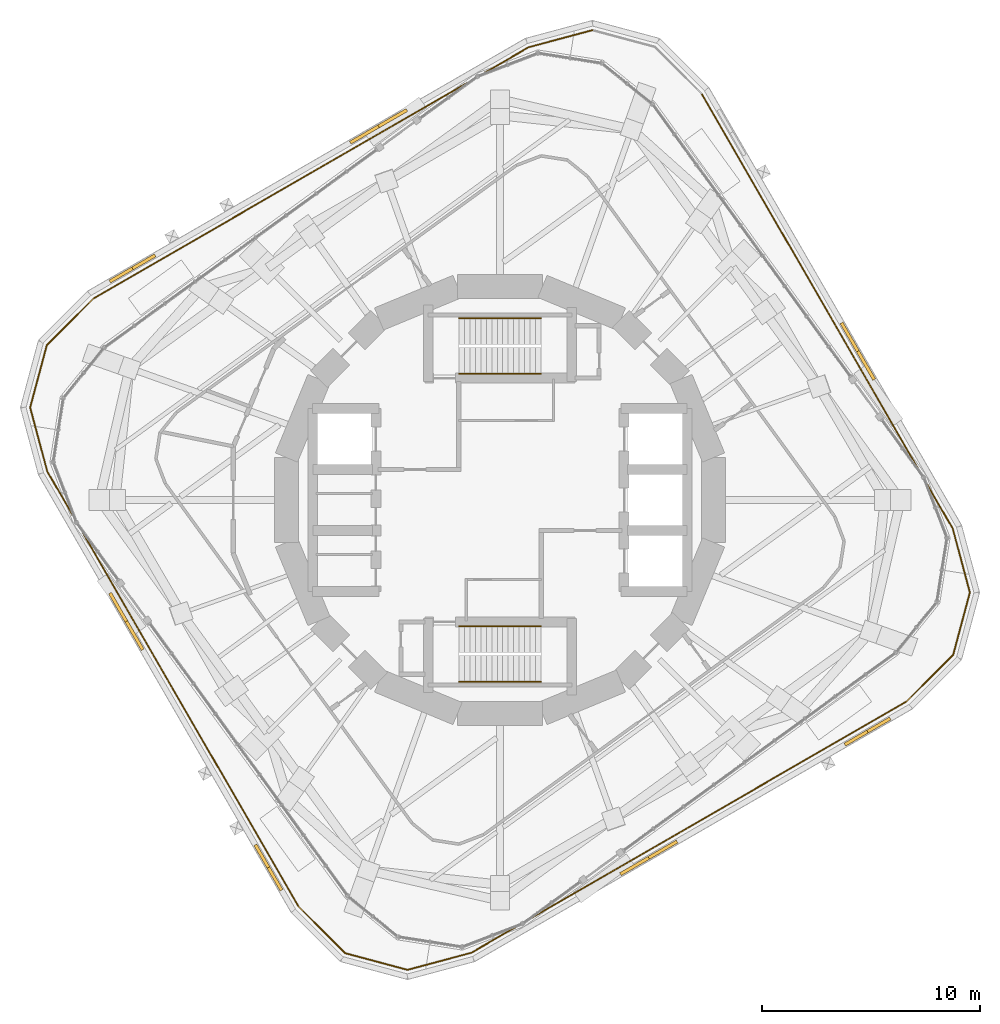
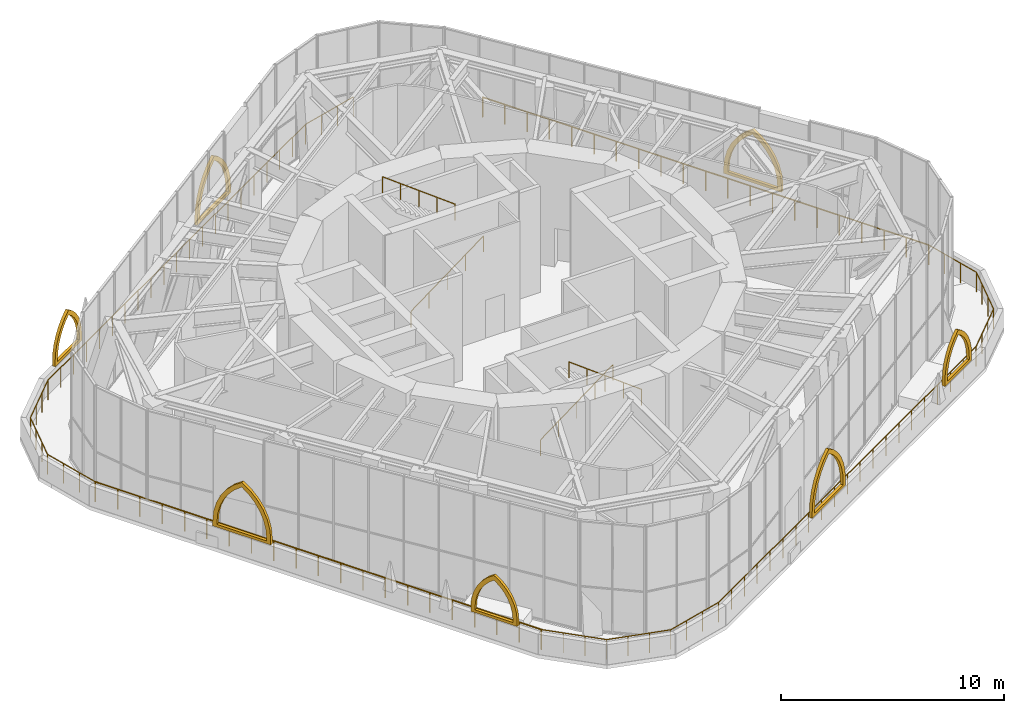
# One storey, part 16 of 18: 18 railings, 7 shading devices.
"""IFC4 building model written with IfcOpenShell, lengths in metres."""

from ifc_helpers import new_model, si_unit, direction, frame, origin, origin_2d, place, context, subcontext, project, spatial, polyline, circle, outline, extrude, material, type_object, element, save


model = new_model("IFC4")

# Units and contexts
model_context = context("Model", 3, precision=1e-05, world=origin(), true_north=direction((0.0, 1.0)))
body_context = subcontext(model_context, "Body", "Model", "MODEL_VIEW")
ifc_project = project(units=[si_unit("LENGTHUNIT", "METRE"), si_unit("AREAUNIT", "SQUARE_METRE"), si_unit("VOLUMEUNIT", "CUBIC_METRE"), si_unit("PLANEANGLEUNIT", "RADIAN"), si_unit("MASSUNIT", "GRAM", prefix="KILO")], contexts=[model_context])

# Site, building, storey
site_placement = place(None, origin())
site = spatial("IfcSite", under=ifc_project, at=site_placement, CompositionType="ELEMENT")
building_placement = place(site_placement, origin())
building = spatial("IfcBuilding", under=site, at=building_placement, Name="Nakasero Lantern House", CompositionType="ELEMENT")
storey_placement = place(building_placement, frame((0.0, 0.0, 257.75)))
storey = spatial("IfcBuildingStorey", under=building, at=storey_placement, Name="L63", CompositionType="ELEMENT", Elevation=257.75)

# Shading devices
ifc_material_1 = material(Name="Aluminium 6063-T6", Category="aluminium")
shading_device_type_1 = type_object("IfcShadingDeviceType", Name="Lancet screen 2400", PredefinedType="USERDEFINED", material=ifc_material_1)
for number, where, z_axis, x_axis, name in (
    (1, (-16.878662109375, 10.635498046875, 1.10009765625), (0.0, 0.0, 1.0), (-0.866025404, -0.5, 0.0), "Tracery screen L63 1-01"),
    (2, (-10.635498046875, -16.878662109375, 1.10009765625), (0.0, 0.0, 1.0), (0.5, -0.866025404, 0.0), "Tracery screen L63 2-01"),
    (3, (16.878662109375, -10.635498046875, 1.10009765625), (0.0, 0.0, 1.0), (0.866025404, 0.5, 0.0), "Tracery screen L63 3-01"),
):
    element("IfcShadingDevice", number, at=place(storey_placement, frame(where, z_axis=z_axis, x_axis=x_axis)), inside=storey, type_object=shading_device_type_1, Name=name, ObjectType="LANCET SCREEN", PredefinedType="USERDEFINED", context=body_context, shape_type="SweptSolid", body=[
        extrude(outline(polyline([(-1.199951171875, 0.0), (1.199951171875, 0.0), (1.199951171875, 0.300048828125), (1.16357421875, 0.716796875), (1.05517578125, 1.120849609375), (0.87841796875, 1.5), (0.638427734375, 1.8427734375), (0.3427734375, 2.138427734375), (0.0, 2.37841796875), (-0.3427734375, 2.138427734375), (-0.638427734375, 1.8427734375), (-0.87841796875, 1.5), (-1.05517578125, 1.120849609375), (-1.16357421875, 0.716796875), (-1.199951171875, 0.300048828125), (-1.199951171875, 0.0)]), holes=[polyline([(-0.97998046875, 0.14990234375), (0.97998046875, 0.14990234375), (0.97998046875, 0.300048828125), (0.950439453125, 0.6572265625), (0.86279296875, 1.0048828125), (0.719482421875, 1.33349609375), (0.524169921875, 1.63427734375), (0.281982421875, 1.898681640625), (0.0, 2.1201171875), (-0.281982421875, 1.898681640625), (-0.524169921875, 1.63427734375), (-0.719482421875, 1.33349609375), (-0.86279296875, 1.0048828125), (-0.950439453125, 0.6572265625), (-0.97998046875, 0.300048828125), (-0.97998046875, 0.14990234375)])]), frame((0.0, 0.074951171875, 0.0), z_axis=(0.0, -1.0, 0.0), x_axis=(1.0, 0.0, 0.0)), (0.0, 0.0, 1.0), 0.14990234375),
    ])
ifc_material_2 = material(Name="Aluminium 6063-T6", Category="aluminium")
shading_device_type_2 = type_object("IfcShadingDeviceType", Name="Lancet screen 3000", PredefinedType="USERDEFINED", material=ifc_material_2)
for number, where, z_axis, x_axis, name in (
    (4, (16.435546875, 6.832763671875, 1.10009765625), (0.0, 0.0, 1.0), (-0.5, 0.866025404, 0.0), "Tracery screen L63 0-00"),
    (5, (-5.5771484375, 17.160400390625, 1.10009765625), (0.0, 0.0, 1.0), (-0.866025404, -0.5, 0.0), "Tracery screen L63 1-00"),
    (6, (-17.160400390625, -5.5771484375, 1.10009765625), (0.0, 0.0, 1.0), (0.5, -0.866025404, 0.0), "Tracery screen L63 2-00"),
    (7, (6.832763671875, -16.435546875, 1.10009765625), (0.0, 0.0, 1.0), (0.866025404, 0.5, 0.0), "Tracery screen L63 3-00"),
):
    element("IfcShadingDevice", number, at=place(storey_placement, frame(where, z_axis=z_axis, x_axis=x_axis)), inside=storey, type_object=shading_device_type_2, Name=name, ObjectType="LANCET SCREEN", PredefinedType="USERDEFINED", context=body_context, shape_type="SweptSolid", body=[
        extrude(outline(polyline([(-1.5, 0.0), (1.5, 0.0), (1.5, 0.300048828125), (1.454345703125, 0.821044921875), (1.319091796875, 1.326171875), (1.09814453125, 1.800048828125), (0.798095703125, 2.228271484375), (0.428466796875, 2.59814453125), (0.0, 2.898193359375), (-0.428466796875, 2.59814453125), (-0.798095703125, 2.228271484375), (-1.09814453125, 1.800048828125), (-1.319091796875, 1.326171875), (-1.454345703125, 0.821044921875), (-1.5, 0.300048828125), (-1.5, 0.0)]), holes=[polyline([(-1.280029296875, 0.14990234375), (1.280029296875, 0.14990234375), (1.280029296875, 0.300048828125), (1.241455078125, 0.761474609375), (1.126708984375, 1.21044921875), (0.939208984375, 1.6337890625), (0.683837890625, 2.020263671875), (0.367919921875, 2.359130859375), (0.0, 2.640625), (-0.367919921875, 2.359130859375), (-0.683837890625, 2.020263671875), (-0.939208984375, 1.6337890625), (-1.126708984375, 1.21044921875), (-1.241455078125, 0.761474609375), (-1.280029296875, 0.300048828125), (-1.280029296875, 0.14990234375)])]), frame((0.0, 0.074951171875, 0.0), z_axis=(0.0, -1.0, 0.0), x_axis=(1.0, 0.0, 0.0)), (0.0, 0.0, 1.0), 0.14990234375),
    ])

# Railings
ifc_material_3 = material(Name="Aluminium 6063-T6", Category="aluminium")
railing_type_1 = type_object("IfcRailingType", Name="Sky garden guard 1100", PredefinedType="GUARDRAIL", material=ifc_material_3)
railing_1_placement = place(storey_placement, frame((-21.580078125, 4.245849609375, 0.0)))
element("IfcRailing", 8, at=railing_1_placement, inside=storey, type_object=railing_type_1, Name="Sky garden guard L63 1", PredefinedType="GUARDRAIL", context=body_context, shape_type="SweptSolid", body=[
    extrude(circle(Radius=0.02392578125, at=origin_2d()), frame((0.0, 0.0, 1.076171875), z_axis=(0.258834752222, 0.965921617442, 0.0), x_axis=(-0.965921617442, 0.258834752222, 0.0)), (0.0, 0.0, 1.0), 2.96826171875),
    extrude(circle(Radius=0.02099609375, at=origin_2d()), origin(), (0.0, 0.0, 1.0), 1.052001953125),
    extrude(circle(Radius=0.02099609375, at=origin_2d()), frame((0.256103515625, 0.955810546875, 0.0)), (0.0, 0.0, 1.0), 1.052001953125),
    extrude(circle(Radius=0.02099609375, at=origin_2d()), frame((0.51220703125, 1.911376953125, 0.0)), (0.0, 0.0, 1.0), 1.052001953125),
    extrude(circle(Radius=0.02099609375, at=origin_2d()), frame((0.768310546875, 2.8671875, 0.0)), (0.0, 0.0, 1.0), 1.052001953125),
])
railing_2_placement = place(storey_placement, frame((-20.811767578125, 7.113037109375, 0.0)))
element("IfcRailing", 9, at=railing_2_placement, inside=storey, type_object=railing_type_1, Name="Sky garden guard L63 2", PredefinedType="GUARDRAIL", context=body_context, shape_type="SweptSolid", body=[
    extrude(circle(Radius=0.02392578125, at=origin_2d()), frame((0.0, 0.0, 1.076171875), z_axis=(0.707106781187, 0.707106781187, 0.0), x_axis=(-0.707106781187, 0.707106781187, 0.0)), (0.0, 0.0, 1.0), 3.029296875),
    extrude(circle(Radius=0.02099609375, at=origin_2d()), origin(), (0.0, 0.0, 1.0), 1.052001953125),
    extrude(circle(Radius=0.02099609375, at=origin_2d()), frame((0.714111328125, 0.714111328125, 0.0)), (0.0, 0.0, 1.0), 1.052001953125),
    extrude(circle(Radius=0.02099609375, at=origin_2d()), frame((1.427978515625, 1.427978515625, 0.0)), (0.0, 0.0, 1.0), 1.052001953125),
    extrude(circle(Radius=0.02099609375, at=origin_2d()), frame((2.14208984375, 2.14208984375, 0.0)), (0.0, 0.0, 1.0), 1.052001953125),
])
railing_3_placement = place(storey_placement, frame((-20.7958984375, 1.319580078125, 0.0)))
element("IfcRailing", 10, at=railing_3_placement, inside=storey, type_object=railing_type_1, Name="Sky garden guard L63 3", PredefinedType="GUARDRAIL", context=body_context, shape_type="SweptSolid", body=[
    extrude(circle(Radius=0.02392578125, at=origin_2d()), frame((0.0, 0.0, 1.076171875), z_axis=(-0.258846186657, 0.965918553323, 0.0), x_axis=(-0.965918553323, -0.258846186657, 0.0)), (0.0, 0.0, 1.0), 3.029541015625),
    extrude(circle(Radius=0.02099609375, at=origin_2d()), origin(), (0.0, 0.0, 1.0), 1.052001953125),
    extrude(circle(Radius=0.02099609375, at=origin_2d()), frame((-0.261474609375, 0.975341796875, 0.0)), (0.0, 0.0, 1.0), 1.052001953125),
    extrude(circle(Radius=0.02099609375, at=origin_2d()), frame((-0.522705078125, 1.950927734375, 0.0)), (0.0, 0.0, 1.0), 1.052001953125),
    extrude(circle(Radius=0.02099609375, at=origin_2d()), frame((-0.7841796875, 2.92626953125, 0.0)), (0.0, 0.0, 1.0), 1.052001953125),
])
railing_4_placement = place(storey_placement, frame((-18.669677734375, 9.255126953125, 0.0)))
element("IfcRailing", 11, at=railing_4_placement, inside=storey, type_object=railing_type_1, Name="Sky garden guard L63 4", PredefinedType="GUARDRAIL", context=body_context, shape_type="SweptSolid", body=[
    extrude(circle(Radius=0.02392578125, at=origin_2d()), frame((0.0, 0.0, 1.076171875), z_axis=(0.866026002129, 0.499998963636, 0.0), x_axis=(-0.499998963636, 0.866026002129, 0.0)), (0.0, 0.0, 1.0), 23.08154296875),
    extrude(circle(Radius=0.02099609375, at=origin_2d()), origin(), (0.0, 0.0, 1.0), 1.052001953125),
    extrude(circle(Radius=0.02099609375, at=origin_2d()), frame((0.99951171875, 0.5771484375, 0.0)), (0.0, 0.0, 1.0), 1.052001953125),
    extrude(circle(Radius=0.02099609375, at=origin_2d()), frame((1.9990234375, 1.154052734375, 0.0)), (0.0, 0.0, 1.0), 1.052001953125),
    extrude(circle(Radius=0.02099609375, at=origin_2d()), frame((2.998291015625, 1.731201171875, 0.0)), (0.0, 0.0, 1.0), 1.052001953125),
    extrude(circle(Radius=0.02099609375, at=origin_2d()), frame((3.997802734375, 2.30810546875, 0.0)), (0.0, 0.0, 1.0), 1.052001953125),
    extrude(circle(Radius=0.02099609375, at=origin_2d()), frame((4.997314453125, 2.88525390625, 0.0)), (0.0, 0.0, 1.0), 1.052001953125),
    extrude(circle(Radius=0.02099609375, at=origin_2d()), frame((5.996826171875, 3.462158203125, 0.0)), (0.0, 0.0, 1.0), 1.052001953125),
    extrude(circle(Radius=0.02099609375, at=origin_2d()), frame((6.996337890625, 4.039306640625, 0.0)), (0.0, 0.0, 1.0), 1.052001953125),
    extrude(circle(Radius=0.02099609375, at=origin_2d()), frame((7.99560546875, 4.6162109375, 0.0)), (0.0, 0.0, 1.0), 1.052001953125),
    extrude(circle(Radius=0.02099609375, at=origin_2d()), frame((8.9951171875, 5.193359375, 0.0)), (0.0, 0.0, 1.0), 1.052001953125),
    extrude(circle(Radius=0.02099609375, at=origin_2d()), frame((9.99462890625, 5.7705078125, 0.0)), (0.0, 0.0, 1.0), 1.052001953125),
    extrude(circle(Radius=0.02099609375, at=origin_2d()), frame((10.994140625, 6.347412109375, 0.0)), (0.0, 0.0, 1.0), 1.052001953125),
    extrude(circle(Radius=0.02099609375, at=origin_2d()), frame((11.99365234375, 6.924560546875, 0.0)), (0.0, 0.0, 1.0), 1.052001953125),
    extrude(circle(Radius=0.02099609375, at=origin_2d()), frame((12.992919921875, 7.50146484375, 0.0)), (0.0, 0.0, 1.0), 1.052001953125),
    extrude(circle(Radius=0.02099609375, at=origin_2d()), frame((13.992431640625, 8.07861328125, 0.0)), (0.0, 0.0, 1.0), 1.052001953125),
    extrude(circle(Radius=0.02099609375, at=origin_2d()), frame((14.991943359375, 8.655517578125, 0.0)), (0.0, 0.0, 1.0), 1.052001953125),
    extrude(circle(Radius=0.02099609375, at=origin_2d()), frame((15.991455078125, 9.232666015625, 0.0)), (0.0, 0.0, 1.0), 1.052001953125),
    extrude(circle(Radius=0.02099609375, at=origin_2d()), frame((16.990966796875, 9.8095703125, 0.0)), (0.0, 0.0, 1.0), 1.052001953125),
    extrude(circle(Radius=0.02099609375, at=origin_2d()), frame((17.990234375, 10.38671875, 0.0)), (0.0, 0.0, 1.0), 1.052001953125),
    extrude(circle(Radius=0.02099609375, at=origin_2d()), frame((18.98974609375, 10.963623046875, 0.0)), (0.0, 0.0, 1.0), 1.052001953125),
    extrude(circle(Radius=0.02099609375, at=origin_2d()), frame((19.9892578125, 11.540771484375, 0.0)), (0.0, 0.0, 1.0), 1.052001953125),
])
railing_5_placement = place(storey_placement, frame((-9.255126953125, -18.669677734375, 0.0)))
element("IfcRailing", 12, at=railing_5_placement, inside=storey, type_object=railing_type_1, Name="Sky garden guard L63 5", PredefinedType="GUARDRAIL", context=body_context, shape_type="SweptSolid", body=[
    extrude(circle(Radius=0.02392578125, at=origin_2d()), frame((0.0, 0.0, 1.076171875), z_axis=(-0.499998963636, 0.866026002129, 0.0), x_axis=(-0.866026002129, -0.499998963636, 0.0)), (0.0, 0.0, 1.0), 23.08154296875),
    extrude(circle(Radius=0.02099609375, at=origin_2d()), origin(), (0.0, 0.0, 1.0), 1.052001953125),
    extrude(circle(Radius=0.02099609375, at=origin_2d()), frame((-0.5771484375, 0.99951171875, 0.0)), (0.0, 0.0, 1.0), 1.052001953125),
    extrude(circle(Radius=0.02099609375, at=origin_2d()), frame((-1.154052734375, 1.9990234375, 0.0)), (0.0, 0.0, 1.0), 1.052001953125),
    extrude(circle(Radius=0.02099609375, at=origin_2d()), frame((-1.731201171875, 2.998291015625, 0.0)), (0.0, 0.0, 1.0), 1.052001953125),
    extrude(circle(Radius=0.02099609375, at=origin_2d()), frame((-2.30810546875, 3.997802734375, 0.0)), (0.0, 0.0, 1.0), 1.052001953125),
    extrude(circle(Radius=0.02099609375, at=origin_2d()), frame((-2.88525390625, 4.997314453125, 0.0)), (0.0, 0.0, 1.0), 1.052001953125),
    extrude(circle(Radius=0.02099609375, at=origin_2d()), frame((-3.462158203125, 5.996826171875, 0.0)), (0.0, 0.0, 1.0), 1.052001953125),
    extrude(circle(Radius=0.02099609375, at=origin_2d()), frame((-4.039306640625, 6.996337890625, 0.0)), (0.0, 0.0, 1.0), 1.052001953125),
    extrude(circle(Radius=0.02099609375, at=origin_2d()), frame((-4.6162109375, 7.99560546875, 0.0)), (0.0, 0.0, 1.0), 1.052001953125),
    extrude(circle(Radius=0.02099609375, at=origin_2d()), frame((-5.193359375, 8.9951171875, 0.0)), (0.0, 0.0, 1.0), 1.052001953125),
    extrude(circle(Radius=0.02099609375, at=origin_2d()), frame((-5.7705078125, 9.99462890625, 0.0)), (0.0, 0.0, 1.0), 1.052001953125),
    extrude(circle(Radius=0.02099609375, at=origin_2d()), frame((-6.347412109375, 10.994140625, 0.0)), (0.0, 0.0, 1.0), 1.052001953125),
    extrude(circle(Radius=0.02099609375, at=origin_2d()), frame((-6.924560546875, 11.99365234375, 0.0)), (0.0, 0.0, 1.0), 1.052001953125),
    extrude(circle(Radius=0.02099609375, at=origin_2d()), frame((-7.50146484375, 12.992919921875, 0.0)), (0.0, 0.0, 1.0), 1.052001953125),
    extrude(circle(Radius=0.02099609375, at=origin_2d()), frame((-8.07861328125, 13.992431640625, 0.0)), (0.0, 0.0, 1.0), 1.052001953125),
    extrude(circle(Radius=0.02099609375, at=origin_2d()), frame((-8.655517578125, 14.991943359375, 0.0)), (0.0, 0.0, 1.0), 1.052001953125),
    extrude(circle(Radius=0.02099609375, at=origin_2d()), frame((-9.232666015625, 15.991455078125, 0.0)), (0.0, 0.0, 1.0), 1.052001953125),
    extrude(circle(Radius=0.02099609375, at=origin_2d()), frame((-9.8095703125, 16.990966796875, 0.0)), (0.0, 0.0, 1.0), 1.052001953125),
    extrude(circle(Radius=0.02099609375, at=origin_2d()), frame((-10.38671875, 17.990234375, 0.0)), (0.0, 0.0, 1.0), 1.052001953125),
    extrude(circle(Radius=0.02099609375, at=origin_2d()), frame((-10.963623046875, 18.98974609375, 0.0)), (0.0, 0.0, 1.0), 1.052001953125),
    extrude(circle(Radius=0.02099609375, at=origin_2d()), frame((-11.540771484375, 19.9892578125, 0.0)), (0.0, 0.0, 1.0), 1.052001953125),
])
railing_6_placement = place(storey_placement, frame((-7.113037109375, -20.811767578125, 0.0)))
element("IfcRailing", 13, at=railing_6_placement, inside=storey, type_object=railing_type_1, Name="Sky garden guard L63 6", PredefinedType="GUARDRAIL", context=body_context, shape_type="SweptSolid", body=[
    extrude(circle(Radius=0.02392578125, at=origin_2d()), frame((0.0, 0.0, 1.076171875), z_axis=(-0.707106781187, 0.707106781187, 0.0), x_axis=(-0.707106781187, -0.707106781187, 0.0)), (0.0, 0.0, 1.0), 3.029296875),
    extrude(circle(Radius=0.02099609375, at=origin_2d()), origin(), (0.0, 0.0, 1.0), 1.052001953125),
    extrude(circle(Radius=0.02099609375, at=origin_2d()), frame((-0.714111328125, 0.714111328125, 0.0)), (0.0, 0.0, 1.0), 1.052001953125),
    extrude(circle(Radius=0.02099609375, at=origin_2d()), frame((-1.427978515625, 1.427978515625, 0.0)), (0.0, 0.0, 1.0), 1.052001953125),
    extrude(circle(Radius=0.02099609375, at=origin_2d()), frame((-2.14208984375, 2.14208984375, 0.0)), (0.0, 0.0, 1.0), 1.052001953125),
])
railing_7_placement = place(storey_placement, frame((-4.245849609375, -21.580078125, 0.0)))
element("IfcRailing", 14, at=railing_7_placement, inside=storey, type_object=railing_type_1, Name="Sky garden guard L63 7", PredefinedType="GUARDRAIL", context=body_context, shape_type="SweptSolid", body=[
    extrude(circle(Radius=0.02392578125, at=origin_2d()), frame((0.0, 0.0, 1.076171875), z_axis=(-0.965921617442, 0.258834752222, 0.0), x_axis=(-0.258834752222, -0.965921617442, 0.0)), (0.0, 0.0, 1.0), 2.96826171875),
    extrude(circle(Radius=0.02099609375, at=origin_2d()), origin(), (0.0, 0.0, 1.0), 1.052001953125),
    extrude(circle(Radius=0.02099609375, at=origin_2d()), frame((-0.955810546875, 0.256103515625, 0.0)), (0.0, 0.0, 1.0), 1.052001953125),
    extrude(circle(Radius=0.02099609375, at=origin_2d()), frame((-1.911376953125, 0.51220703125, 0.0)), (0.0, 0.0, 1.0), 1.052001953125),
    extrude(circle(Radius=0.02099609375, at=origin_2d()), frame((-2.8671875, 0.768310546875, 0.0)), (0.0, 0.0, 1.0), 1.052001953125),
])
railing_8_placement = place(storey_placement, frame((-1.319580078125, -20.7958984375, 0.0)))
element("IfcRailing", 15, at=railing_8_placement, inside=storey, type_object=railing_type_1, Name="Sky garden guard L63 8", PredefinedType="GUARDRAIL", context=body_context, shape_type="SweptSolid", body=[
    extrude(circle(Radius=0.02392578125, at=origin_2d()), frame((0.0, 0.0, 1.076171875), z_axis=(-0.965918553323, -0.258846186657, 0.0), x_axis=(0.258846186657, -0.965918553323, 0.0)), (0.0, 0.0, 1.0), 3.029541015625),
    extrude(circle(Radius=0.02099609375, at=origin_2d()), origin(), (0.0, 0.0, 1.0), 1.052001953125),
    extrude(circle(Radius=0.02099609375, at=origin_2d()), frame((-0.975341796875, -0.261474609375, 0.0)), (0.0, 0.0, 1.0), 1.052001953125),
    extrude(circle(Radius=0.02099609375, at=origin_2d()), frame((-1.950927734375, -0.522705078125, 0.0)), (0.0, 0.0, 1.0), 1.052001953125),
    extrude(circle(Radius=0.02099609375, at=origin_2d()), frame((-2.92626953125, -0.7841796875, 0.0)), (0.0, 0.0, 1.0), 1.052001953125),
])
railing_9_placement = place(storey_placement, frame((1.319580078125, 20.7958984375, 0.0)))
element("IfcRailing", 16, at=railing_9_placement, inside=storey, type_object=railing_type_1, Name="Sky garden guard L63 9", PredefinedType="GUARDRAIL", context=body_context, shape_type="SweptSolid", body=[
    extrude(circle(Radius=0.02392578125, at=origin_2d()), frame((0.0, 0.0, 1.076171875), z_axis=(0.965918553323, 0.258846186657, 0.0), x_axis=(-0.258846186657, 0.965918553323, 0.0)), (0.0, 0.0, 1.0), 3.029541015625),
    extrude(circle(Radius=0.02099609375, at=origin_2d()), origin(), (0.0, 0.0, 1.0), 1.052001953125),
    extrude(circle(Radius=0.02099609375, at=origin_2d()), frame((0.975341796875, 0.261474609375, 0.0)), (0.0, 0.0, 1.0), 1.052001953125),
    extrude(circle(Radius=0.02099609375, at=origin_2d()), frame((1.950927734375, 0.522705078125, 0.0)), (0.0, 0.0, 1.0), 1.052001953125),
    extrude(circle(Radius=0.02099609375, at=origin_2d()), frame((2.92626953125, 0.7841796875, 0.0)), (0.0, 0.0, 1.0), 1.052001953125),
])
railing_10_placement = place(storey_placement, frame((9.255126953125, 18.669677734375, 0.0)))
element("IfcRailing", 17, at=railing_10_placement, inside=storey, type_object=railing_type_1, Name="Sky garden guard L63 12", PredefinedType="GUARDRAIL", context=body_context, shape_type="SweptSolid", body=[
    extrude(circle(Radius=0.02392578125, at=origin_2d()), frame((0.0, 0.0, 1.076171875), z_axis=(0.499998963636, -0.866026002129, 0.0), x_axis=(0.866026002129, 0.499998963636, 0.0)), (0.0, 0.0, 1.0), 23.08154296875),
    extrude(circle(Radius=0.02099609375, at=origin_2d()), origin(), (0.0, 0.0, 1.0), 1.052001953125),
    extrude(circle(Radius=0.02099609375, at=origin_2d()), frame((0.5771484375, -0.99951171875, 0.0)), (0.0, 0.0, 1.0), 1.052001953125),
    extrude(circle(Radius=0.02099609375, at=origin_2d()), frame((1.154052734375, -1.9990234375, 0.0)), (0.0, 0.0, 1.0), 1.052001953125),
    extrude(circle(Radius=0.02099609375, at=origin_2d()), frame((1.731201171875, -2.998291015625, 0.0)), (0.0, 0.0, 1.0), 1.052001953125),
    extrude(circle(Radius=0.02099609375, at=origin_2d()), frame((2.30810546875, -3.997802734375, 0.0)), (0.0, 0.0, 1.0), 1.052001953125),
    extrude(circle(Radius=0.02099609375, at=origin_2d()), frame((2.88525390625, -4.997314453125, 0.0)), (0.0, 0.0, 1.0), 1.052001953125),
    extrude(circle(Radius=0.02099609375, at=origin_2d()), frame((3.462158203125, -5.996826171875, 0.0)), (0.0, 0.0, 1.0), 1.052001953125),
    extrude(circle(Radius=0.02099609375, at=origin_2d()), frame((4.039306640625, -6.996337890625, 0.0)), (0.0, 0.0, 1.0), 1.052001953125),
    extrude(circle(Radius=0.02099609375, at=origin_2d()), frame((4.6162109375, -7.99560546875, 0.0)), (0.0, 0.0, 1.0), 1.052001953125),
    extrude(circle(Radius=0.02099609375, at=origin_2d()), frame((5.193359375, -8.9951171875, 0.0)), (0.0, 0.0, 1.0), 1.052001953125),
    extrude(circle(Radius=0.02099609375, at=origin_2d()), frame((5.7705078125, -9.99462890625, 0.0)), (0.0, 0.0, 1.0), 1.052001953125),
    extrude(circle(Radius=0.02099609375, at=origin_2d()), frame((6.347412109375, -10.994140625, 0.0)), (0.0, 0.0, 1.0), 1.052001953125),
    extrude(circle(Radius=0.02099609375, at=origin_2d()), frame((6.924560546875, -11.99365234375, 0.0)), (0.0, 0.0, 1.0), 1.052001953125),
    extrude(circle(Radius=0.02099609375, at=origin_2d()), frame((7.50146484375, -12.992919921875, 0.0)), (0.0, 0.0, 1.0), 1.052001953125),
    extrude(circle(Radius=0.02099609375, at=origin_2d()), frame((8.07861328125, -13.992431640625, 0.0)), (0.0, 0.0, 1.0), 1.052001953125),
    extrude(circle(Radius=0.02099609375, at=origin_2d()), frame((8.655517578125, -14.991943359375, 0.0)), (0.0, 0.0, 1.0), 1.052001953125),
    extrude(circle(Radius=0.02099609375, at=origin_2d()), frame((9.232666015625, -15.991455078125, 0.0)), (0.0, 0.0, 1.0), 1.052001953125),
    extrude(circle(Radius=0.02099609375, at=origin_2d()), frame((9.8095703125, -16.990966796875, 0.0)), (0.0, 0.0, 1.0), 1.052001953125),
    extrude(circle(Radius=0.02099609375, at=origin_2d()), frame((10.38671875, -17.990234375, 0.0)), (0.0, 0.0, 1.0), 1.052001953125),
    extrude(circle(Radius=0.02099609375, at=origin_2d()), frame((10.963623046875, -18.98974609375, 0.0)), (0.0, 0.0, 1.0), 1.052001953125),
    extrude(circle(Radius=0.02099609375, at=origin_2d()), frame((11.540771484375, -19.9892578125, 0.0)), (0.0, 0.0, 1.0), 1.052001953125),
])
railing_11_placement = place(storey_placement, frame((18.669677734375, -9.255126953125, 0.0)))
element("IfcRailing", 18, at=railing_11_placement, inside=storey, type_object=railing_type_1, Name="Sky garden guard L63 13", PredefinedType="GUARDRAIL", context=body_context, shape_type="SweptSolid", body=[
    extrude(circle(Radius=0.02392578125, at=origin_2d()), frame((0.0, 0.0, 1.076171875), z_axis=(-0.866026002129, -0.499998963636, 0.0), x_axis=(0.499998963636, -0.866026002129, 0.0)), (0.0, 0.0, 1.0), 23.08154296875),
    extrude(circle(Radius=0.02099609375, at=origin_2d()), origin(), (0.0, 0.0, 1.0), 1.052001953125),
    extrude(circle(Radius=0.02099609375, at=origin_2d()), frame((-0.99951171875, -0.5771484375, 0.0)), (0.0, 0.0, 1.0), 1.052001953125),
    extrude(circle(Radius=0.02099609375, at=origin_2d()), frame((-1.9990234375, -1.154052734375, 0.0)), (0.0, 0.0, 1.0), 1.052001953125),
    extrude(circle(Radius=0.02099609375, at=origin_2d()), frame((-2.998291015625, -1.731201171875, 0.0)), (0.0, 0.0, 1.0), 1.052001953125),
    extrude(circle(Radius=0.02099609375, at=origin_2d()), frame((-3.997802734375, -2.30810546875, 0.0)), (0.0, 0.0, 1.0), 1.052001953125),
    extrude(circle(Radius=0.02099609375, at=origin_2d()), frame((-4.997314453125, -2.88525390625, 0.0)), (0.0, 0.0, 1.0), 1.052001953125),
    extrude(circle(Radius=0.02099609375, at=origin_2d()), frame((-5.996826171875, -3.462158203125, 0.0)), (0.0, 0.0, 1.0), 1.052001953125),
    extrude(circle(Radius=0.02099609375, at=origin_2d()), frame((-6.996337890625, -4.039306640625, 0.0)), (0.0, 0.0, 1.0), 1.052001953125),
    extrude(circle(Radius=0.02099609375, at=origin_2d()), frame((-7.99560546875, -4.6162109375, 0.0)), (0.0, 0.0, 1.0), 1.052001953125),
    extrude(circle(Radius=0.02099609375, at=origin_2d()), frame((-8.9951171875, -5.193359375, 0.0)), (0.0, 0.0, 1.0), 1.052001953125),
    extrude(circle(Radius=0.02099609375, at=origin_2d()), frame((-9.99462890625, -5.7705078125, 0.0)), (0.0, 0.0, 1.0), 1.052001953125),
    extrude(circle(Radius=0.02099609375, at=origin_2d()), frame((-10.994140625, -6.347412109375, 0.0)), (0.0, 0.0, 1.0), 1.052001953125),
    extrude(circle(Radius=0.02099609375, at=origin_2d()), frame((-11.99365234375, -6.924560546875, 0.0)), (0.0, 0.0, 1.0), 1.052001953125),
    extrude(circle(Radius=0.02099609375, at=origin_2d()), frame((-12.992919921875, -7.50146484375, 0.0)), (0.0, 0.0, 1.0), 1.052001953125),
    extrude(circle(Radius=0.02099609375, at=origin_2d()), frame((-13.992431640625, -8.07861328125, 0.0)), (0.0, 0.0, 1.0), 1.052001953125),
    extrude(circle(Radius=0.02099609375, at=origin_2d()), frame((-14.991943359375, -8.655517578125, 0.0)), (0.0, 0.0, 1.0), 1.052001953125),
    extrude(circle(Radius=0.02099609375, at=origin_2d()), frame((-15.991455078125, -9.232666015625, 0.0)), (0.0, 0.0, 1.0), 1.052001953125),
    extrude(circle(Radius=0.02099609375, at=origin_2d()), frame((-16.990966796875, -9.8095703125, 0.0)), (0.0, 0.0, 1.0), 1.052001953125),
    extrude(circle(Radius=0.02099609375, at=origin_2d()), frame((-17.990234375, -10.38671875, 0.0)), (0.0, 0.0, 1.0), 1.052001953125),
    extrude(circle(Radius=0.02099609375, at=origin_2d()), frame((-18.98974609375, -10.963623046875, 0.0)), (0.0, 0.0, 1.0), 1.052001953125),
    extrude(circle(Radius=0.02099609375, at=origin_2d()), frame((-19.9892578125, -11.540771484375, 0.0)), (0.0, 0.0, 1.0), 1.052001953125),
])
railing_12_placement = place(storey_placement, frame((20.7958984375, -1.319580078125, 0.0)))
element("IfcRailing", 19, at=railing_12_placement, inside=storey, type_object=railing_type_1, Name="Sky garden guard L63 14", PredefinedType="GUARDRAIL", context=body_context, shape_type="SweptSolid", body=[
    extrude(circle(Radius=0.02392578125, at=origin_2d()), frame((0.0, 0.0, 1.076171875), z_axis=(0.258846186657, -0.965918553323, 0.0), x_axis=(0.965918553323, 0.258846186657, 0.0)), (0.0, 0.0, 1.0), 3.029541015625),
    extrude(circle(Radius=0.02099609375, at=origin_2d()), origin(), (0.0, 0.0, 1.0), 1.052001953125),
    extrude(circle(Radius=0.02099609375, at=origin_2d()), frame((0.261474609375, -0.975341796875, 0.0)), (0.0, 0.0, 1.0), 1.052001953125),
    extrude(circle(Radius=0.02099609375, at=origin_2d()), frame((0.522705078125, -1.950927734375, 0.0)), (0.0, 0.0, 1.0), 1.052001953125),
    extrude(circle(Radius=0.02099609375, at=origin_2d()), frame((0.7841796875, -2.92626953125, 0.0)), (0.0, 0.0, 1.0), 1.052001953125),
])
railing_13_placement = place(storey_placement, frame((20.811767578125, -7.113037109375, 0.0)))
element("IfcRailing", 20, at=railing_13_placement, inside=storey, type_object=railing_type_1, Name="Sky garden guard L63 15", PredefinedType="GUARDRAIL", context=body_context, shape_type="SweptSolid", body=[
    extrude(circle(Radius=0.02392578125, at=origin_2d()), frame((0.0, 0.0, 1.076171875), z_axis=(-0.707106781187, -0.707106781187, 0.0), x_axis=(0.707106781187, -0.707106781187, 0.0)), (0.0, 0.0, 1.0), 3.029296875),
    extrude(circle(Radius=0.02099609375, at=origin_2d()), origin(), (0.0, 0.0, 1.0), 1.052001953125),
    extrude(circle(Radius=0.02099609375, at=origin_2d()), frame((-0.714111328125, -0.714111328125, 0.0)), (0.0, 0.0, 1.0), 1.052001953125),
    extrude(circle(Radius=0.02099609375, at=origin_2d()), frame((-1.427978515625, -1.427978515625, 0.0)), (0.0, 0.0, 1.0), 1.052001953125),
    extrude(circle(Radius=0.02099609375, at=origin_2d()), frame((-2.14208984375, -2.14208984375, 0.0)), (0.0, 0.0, 1.0), 1.052001953125),
])
railing_14_placement = place(storey_placement, frame((21.580078125, -4.245849609375, 0.0)))
element("IfcRailing", 21, at=railing_14_placement, inside=storey, type_object=railing_type_1, Name="Sky garden guard L63 16", PredefinedType="GUARDRAIL", context=body_context, shape_type="SweptSolid", body=[
    extrude(circle(Radius=0.02392578125, at=origin_2d()), frame((0.0, 0.0, 1.076171875), z_axis=(-0.258834752222, -0.965921617442, 0.0), x_axis=(0.965921617442, -0.258834752222, 0.0)), (0.0, 0.0, 1.0), 2.96826171875),
    extrude(circle(Radius=0.02099609375, at=origin_2d()), origin(), (0.0, 0.0, 1.0), 1.052001953125),
    extrude(circle(Radius=0.02099609375, at=origin_2d()), frame((-0.256103515625, -0.955810546875, 0.0)), (0.0, 0.0, 1.0), 1.052001953125),
    extrude(circle(Radius=0.02099609375, at=origin_2d()), frame((-0.51220703125, -1.911376953125, 0.0)), (0.0, 0.0, 1.0), 1.052001953125),
    extrude(circle(Radius=0.02099609375, at=origin_2d()), frame((-0.768310546875, -2.8671875, 0.0)), (0.0, 0.0, 1.0), 1.052001953125),
])
ifc_material_4 = material(Name="Stainless steel 316", Category="steel")
railing_type_2 = type_object("IfcRailingType", Name="Stair handrail 900", PredefinedType="HANDRAIL", material=ifc_material_4)
railing_15_placement = place(storey_placement, frame((-1.875, 5.800048828125, 0.1875)))
element("IfcRailing", 22, at=railing_15_placement, inside=storey, type_object=railing_type_2, Name="Handrail ST1 L63 flight 1", PredefinedType="HANDRAIL", context=body_context, shape_type="SweptSolid", body=[
    extrude(circle(Radius=0.02392578125, at=origin_2d()), frame((0.0, 0.0, 0.8759765625), z_axis=(0.8, 0.0, 0.6), x_axis=(0.0, 1.0, 0.0)), (0.0, 0.0, 1.0), 4.6875),
    extrude(circle(Radius=0.02099609375, at=origin_2d()), origin(), (0.0, 0.0, 1.0), 0.851806640625),
    extrude(circle(Radius=0.02099609375, at=origin_2d()), frame((0.9375, 0.0, 0.703125)), (0.0, 0.0, 1.0), 0.851806640625),
    extrude(circle(Radius=0.02099609375, at=origin_2d()), frame((1.875, 0.0, 1.40625)), (0.0, 0.0, 1.0), 0.851806640625),
    extrude(circle(Radius=0.02099609375, at=origin_2d()), frame((2.8125, 0.0, 2.109375)), (0.0, 0.0, 1.0), 0.851806640625),
    extrude(circle(Radius=0.02099609375, at=origin_2d()), frame((3.75, 0.0, 2.8125)), (0.0, 0.0, 1.0), 0.851806640625),
])
railing_16_placement = place(storey_placement, frame((1.875, 8.35009765625, 3.1875)))
element("IfcRailing", 23, at=railing_16_placement, inside=storey, type_object=railing_type_2, Name="Handrail ST1 L63 flight 2", PredefinedType="HANDRAIL", context=body_context, shape_type="SweptSolid", body=[
    extrude(circle(Radius=0.02392578125, at=origin_2d()), frame((0.0, 0.0, 0.8759765625), z_axis=(-0.8, 0.0, 0.6), x_axis=(0.0, -1.0, 0.0)), (0.0, 0.0, 1.0), 4.6875),
    extrude(circle(Radius=0.02099609375, at=origin_2d()), origin(), (0.0, 0.0, 1.0), 0.851806640625),
    extrude(circle(Radius=0.02099609375, at=origin_2d()), frame((-0.9375, 0.0, 0.703125)), (0.0, 0.0, 1.0), 0.851806640625),
    extrude(circle(Radius=0.02099609375, at=origin_2d()), frame((-1.875, 0.0, 1.40625)), (0.0, 0.0, 1.0), 0.851806640625),
    extrude(circle(Radius=0.02099609375, at=origin_2d()), frame((-2.8125, 0.0, 2.109375)), (0.0, 0.0, 1.0), 0.851806640625),
    extrude(circle(Radius=0.02099609375, at=origin_2d()), frame((-3.75, 0.0, 2.8125)), (0.0, 0.0, 1.0), 0.851806640625),
])
railing_17_placement = place(storey_placement, frame((-1.875, -5.800048828125, 0.1875)))
element("IfcRailing", 24, at=railing_17_placement, inside=storey, type_object=railing_type_2, Name="Handrail ST2 L63 flight 1", PredefinedType="HANDRAIL", context=body_context, shape_type="SweptSolid", body=[
    extrude(circle(Radius=0.02392578125, at=origin_2d()), frame((0.0, 0.0, 0.8759765625), z_axis=(0.8, 0.0, 0.6), x_axis=(0.0, 1.0, 0.0)), (0.0, 0.0, 1.0), 4.6875),
    extrude(circle(Radius=0.02099609375, at=origin_2d()), origin(), (0.0, 0.0, 1.0), 0.851806640625),
    extrude(circle(Radius=0.02099609375, at=origin_2d()), frame((0.9375, 0.0, 0.703125)), (0.0, 0.0, 1.0), 0.851806640625),
    extrude(circle(Radius=0.02099609375, at=origin_2d()), frame((1.875, 0.0, 1.40625)), (0.0, 0.0, 1.0), 0.851806640625),
    extrude(circle(Radius=0.02099609375, at=origin_2d()), frame((2.8125, 0.0, 2.109375)), (0.0, 0.0, 1.0), 0.851806640625),
    extrude(circle(Radius=0.02099609375, at=origin_2d()), frame((3.75, 0.0, 2.8125)), (0.0, 0.0, 1.0), 0.851806640625),
])
railing_18_placement = place(storey_placement, frame((1.875, -8.35009765625, 3.1875)))
element("IfcRailing", 25, at=railing_18_placement, inside=storey, type_object=railing_type_2, Name="Handrail ST2 L63 flight 2", PredefinedType="HANDRAIL", context=body_context, shape_type="SweptSolid", body=[
    extrude(circle(Radius=0.02392578125, at=origin_2d()), frame((0.0, 0.0, 0.8759765625), z_axis=(-0.8, 0.0, 0.6), x_axis=(0.0, -1.0, 0.0)), (0.0, 0.0, 1.0), 4.6875),
    extrude(circle(Radius=0.02099609375, at=origin_2d()), origin(), (0.0, 0.0, 1.0), 0.851806640625),
    extrude(circle(Radius=0.02099609375, at=origin_2d()), frame((-0.9375, 0.0, 0.703125)), (0.0, 0.0, 1.0), 0.851806640625),
    extrude(circle(Radius=0.02099609375, at=origin_2d()), frame((-1.875, 0.0, 1.40625)), (0.0, 0.0, 1.0), 0.851806640625),
    extrude(circle(Radius=0.02099609375, at=origin_2d()), frame((-2.8125, 0.0, 2.109375)), (0.0, 0.0, 1.0), 0.851806640625),
    extrude(circle(Radius=0.02099609375, at=origin_2d()), frame((-3.75, 0.0, 2.8125)), (0.0, 0.0, 1.0), 0.851806640625),
])

save(model, "model.ifc")
